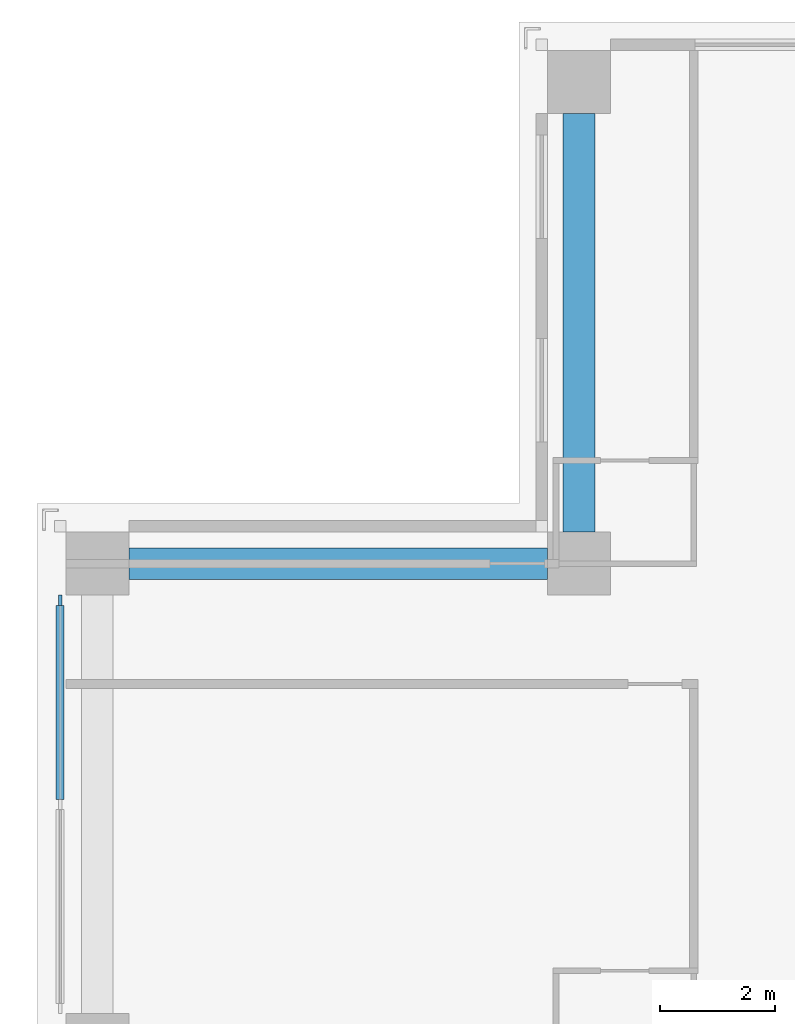
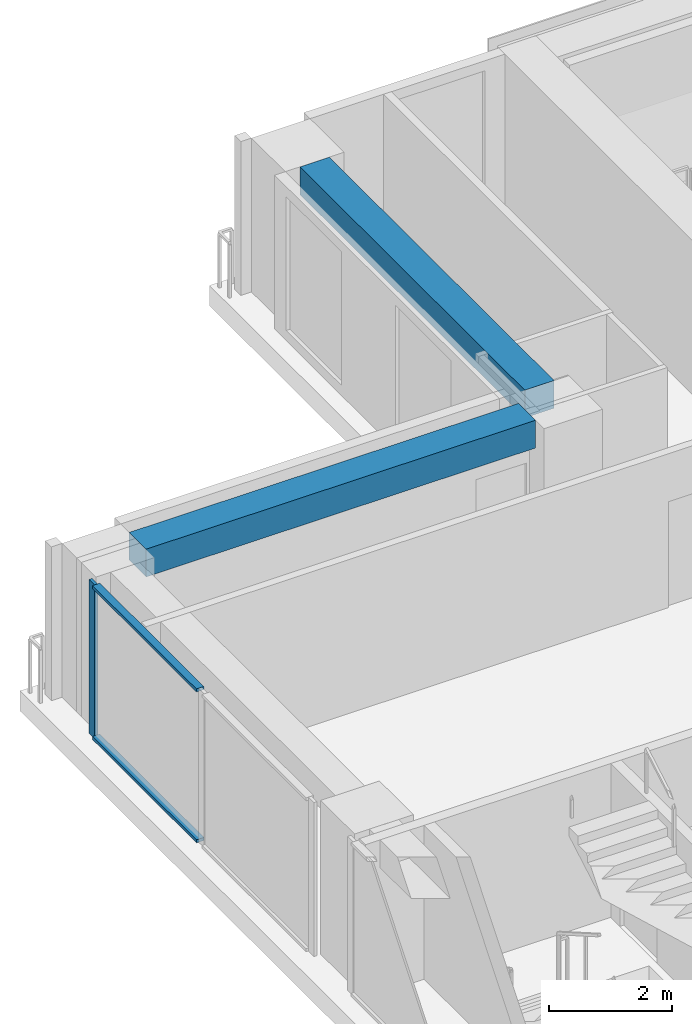
# One storey, part 6 of 16: 3 members, 2 beams, 1 element without a shape of its own.
"""IFC4 building model written with IfcOpenShell, lengths in metres."""

import ifcopenshell
import ifcopenshell.guid

model = None  # the IFC model being written
_history = None  # IfcOwnerHistory: only IFC2X3 demands one
_inside = {}  # id of a spatial element -> (the spatial element, [elements in it])
_under = {}  # id of a project, library or spatial element -> (it, [spatial elements below it])
_declared = {}  # id of a project -> (the project, [libraries it declares])
_typed = {}  # id of a type object -> (the type object, [elements of that type])
_made_of = {}  # id of a material, layer set ... -> (it, [elements and type objects made of it])


def new_model(schema):
    """Start an empty IFC model of exactly this schema.

    Asked for "IFC4X3", IfcOpenShell would pick the latest addendum, in which some entities
    have other attributes; the version numbers below select the first issue.
    IFC2X3 requires an IfcOwnerHistory on every rooted entity: one is made here for all.
    """
    global model, _history
    if schema == "IFC4X3":
        model = ifcopenshell.file(schema_version=(4, 3, 0, 0))
    else:
        model = ifcopenshell.file(schema=schema)
    _inside.clear()
    _under.clear()
    _declared.clear()
    _typed.clear()
    _made_of.clear()
    _history = None
    if model.schema == "IFC2X3":
        org = make("IfcOrganization", Name="unknown")
        user = make(
            "IfcPersonAndOrganization",
            ThePerson=make("IfcPerson", FamilyName="unknown"),
            TheOrganization=org,
        )
        app = make(
            "IfcApplication",
            ApplicationDeveloper=org,
            Version="unknown",
            ApplicationFullName="unknown",
            ApplicationIdentifier="unknown",
        )
        _history = make(
            "IfcOwnerHistory",
            OwningUser=user,
            OwningApplication=app,
            ChangeAction="ADDED",
            CreationDate=0,
        )
    return model


def make(cls, **values):
    """One entity of the class cls with the attributes given. An attribute that is None is left unset."""
    return model.create_entity(
        cls, **{name: value for name, value in values.items() if value is not None}
    )


def rooted(cls, **values):
    """An entity with a GlobalId (a new one), such as an element, a storey or a relation."""
    return make(cls, GlobalId=ifcopenshell.guid.new(), OwnerHistory=_history, **values)


def si_unit(unit_type, name, prefix=None):
    """IfcSIUnit, for example si_unit("LENGTHUNIT", "METRE", prefix="MILLI")."""
    return make("IfcSIUnit", UnitType=unit_type, Prefix=prefix, Name=name)


def assignment(units):
    """IfcUnitAssignment: the units of a project."""
    return None if units is None else make("IfcUnitAssignment", Units=units)


def point(xyz):
    """IfcCartesianPoint."""
    return None if xyz is None else make("IfcCartesianPoint", Coordinates=xyz)


def direction(xyz):
    """IfcDirection."""
    return None if xyz is None else make("IfcDirection", DirectionRatios=xyz)


def frame(location, z_axis=None, x_axis=None):
    """IfcAxis2Placement3D, a coordinate frame: its origin and axes. An axis left out is left unset."""
    return make(
        "IfcAxis2Placement3D",
        Location=point(location),
        Axis=direction(z_axis),
        RefDirection=direction(x_axis),
    )


def frame_2d(location, x_axis=None):
    """IfcAxis2Placement2D, a coordinate frame in the plane: its origin and x axis."""
    return make(
        "IfcAxis2Placement2D", Location=point(location), RefDirection=direction(x_axis)
    )


def origin():
    """The frame at (0, 0, 0) with its axes left unset."""
    return frame((0.0, 0.0, 0.0))


def origin_2d():
    """The frame at (0, 0) in the plane with its x axis left unset."""
    return frame_2d((0.0, 0.0))


def place(relative_to, where):
    """IfcLocalPlacement: puts the frame where relative to a parent placement (None: the world)."""
    return make(
        "IfcLocalPlacement", PlacementRelTo=relative_to, RelativePlacement=where
    )


def context(
    kind, dimensions, precision=None, world=None, true_north=None, identifier=None
):
    """IfcGeometricRepresentationContext, for example the 3D "Model" context."""
    return make(
        "IfcGeometricRepresentationContext",
        ContextIdentifier=identifier,
        ContextType=kind,
        CoordinateSpaceDimension=dimensions,
        Precision=precision,
        WorldCoordinateSystem=world,
        TrueNorth=true_north,
    )


def subcontext(parent, identifier, kind, view, scale=None):
    """IfcGeometricRepresentationSubContext, for example "Body" below "Model"."""
    return make(
        "IfcGeometricRepresentationSubContext",
        ContextIdentifier=identifier,
        ContextType=kind,
        ParentContext=parent,
        TargetScale=scale,
        TargetView=view,
    )


def project(units=None, contexts=None):
    """IfcProject with its units and contexts."""
    return rooted(
        "IfcProject",
        Name="project",
        RepresentationContexts=contexts,
        UnitsInContext=assignment(units),
    )


def spatial(cls, under=None, at=None, **own):
    """A site, building, storey or space (cls), placed at a placement, below another one or the project."""
    s = rooted(cls, ObjectPlacement=at, **own)
    if under is not None:
        _under.setdefault(under.id(), (under, []))[1].append(s)
    return s


def profile(cls, at=None, kind="AREA", **sizes):
    """A parametric profile (cls). Its sizes go by their IFC names, for example OverallWidth=200.0."""
    return make(cls, ProfileType=kind, Position=at, **sizes)


def rectangle(**sizes):
    """IfcRectangleProfileDef."""
    return profile("IfcRectangleProfileDef", **sizes)


def extrude(swept, where, along, depth):
    """IfcExtrudedAreaSolid: the profile swept, set in the frame where, extruded along a direction by depth."""
    return make(
        "IfcExtrudedAreaSolid",
        SweptArea=swept,
        Position=where,
        ExtrudedDirection=direction(along),
        Depth=depth,
    )


def shape(context_of_items, identifier, shape_type, items):
    """IfcShapeRepresentation: the items that make up one representation, for example the "Body"."""
    return make(
        "IfcShapeRepresentation",
        ContextOfItems=context_of_items,
        RepresentationIdentifier=identifier,
        RepresentationType=shape_type,
        Items=items,
    )


def material(Name=None, Category=None):
    """IfcMaterial."""
    return make("IfcMaterial", Name=Name, Category=Category)


def material_profile(
    of_material, cross_section, Name=None, Category=None, Priority=None
):
    """IfcMaterialProfile: a cross section and its material."""
    return make(
        "IfcMaterialProfile",
        Name=Name,
        Material=of_material,
        Profile=cross_section,
        Priority=Priority,
        Category=Category,
    )


def profile_set(profiles, Name=None, composite=None):
    """IfcMaterialProfileSet."""
    return make(
        "IfcMaterialProfileSet",
        Name=Name,
        MaterialProfiles=profiles,
        CompositeProfile=composite,
    )


def made_of(thing, what):
    """Note that an element or type object is made of a material, layer set ...; save() writes the relation."""
    if what is not None:
        _made_of.setdefault(what.id(), (what, []))[1].append(thing)
    return thing


def type_object(cls, material=None, **own):
    """A type object (cls), such as IfcWallType, which elements share."""
    return made_of(rooted(cls, **own), material)


def element(
    cls,
    number,
    at=None,
    inside=None,
    cuts=None,
    type_object=None,
    material=None,
    context=None,
    identifier="Body",
    shape_type=None,
    held_by="IfcProductDefinitionShape",
    body=None,
    shapes=None,
    **own,
):
    """One element of the class cls, such as IfcWall. Its Tag is "e" and its number.

    at: its placement. inside: the storey or other place that contains it. cuts: it is an
    opening in that element (IfcRelVoidsElement). A single representation is given by context,
    identifier, shape_type and body (its items); several are given by shapes. held_by: the class
    of the entity that holds the representations. save() writes the other relations.
    """
    e = rooted(cls, Tag="e%d" % number, ObjectPlacement=at, **own)
    if body is not None:
        shapes = [shape(context, identifier, shape_type, body)]
    if shapes is not None:
        e.Representation = make(held_by, Representations=shapes)
    if inside is not None:
        _inside.setdefault(inside.id(), (inside, []))[1].append(e)
    if cuts is not None:
        rooted(
            "IfcRelVoidsElement", RelatingBuildingElement=cuts, RelatedOpeningElement=e
        )
    if type_object is not None:
        _typed.setdefault(type_object.id(), (type_object, []))[1].append(e)
    return made_of(e, material)


def aggregate(whole, parts):
    """IfcRelAggregates: a whole, such as a stair, and the parts it consists of."""
    return rooted("IfcRelAggregates", RelatingObject=whole, RelatedObjects=parts)


def save(model, path):
    """Write the relations noted so far, then the file.

    IfcRelAggregates (storeys below a building ...), IfcRelContainedInSpatialStructure (elements
    in a storey), IfcRelDefinesByType, IfcRelAssociatesMaterial and IfcRelDeclares: one each for
    every whole, place, type object, material and project.
    """
    for whole, parts in _under.values():
        aggregate(whole, parts)
    for where, things in _inside.values():
        rooted(
            "IfcRelContainedInSpatialStructure",
            RelatedElements=things,
            RelatingStructure=where,
        )
    for kind, things in _typed.values():
        rooted("IfcRelDefinesByType", RelatedObjects=things, RelatingType=kind)
    for what, things in _made_of.values():
        rooted("IfcRelAssociatesMaterial", RelatedObjects=things, RelatingMaterial=what)
    for by, libraries in _declared.values():
        rooted("IfcRelDeclares", RelatingContext=by, RelatedDefinitions=libraries)
    model.write(path)


model = new_model("IFC4")

# Units and contexts
model_context = context("Model", 3, precision=1e-05, world=origin(), true_north=direction((0.0, 1.0)))
body_context = subcontext(model_context, "Body", "Model", "MODEL_VIEW")
ifc_project = project(units=[si_unit("LENGTHUNIT", "METRE"), si_unit("AREAUNIT", "SQUARE_METRE"), si_unit("VOLUMEUNIT", "CUBIC_METRE"), si_unit("PLANEANGLEUNIT", "RADIAN"), si_unit("MASSUNIT", "GRAM", prefix="KILO")], contexts=[model_context])

# Site, building, storey
site_placement = place(None, origin())
site = spatial("IfcSite", under=ifc_project, at=site_placement, CompositionType="ELEMENT")
building_placement = place(site_placement, origin())
building = spatial("IfcBuilding", under=site, at=building_placement, Name="Vermilion Ogive Tower", CompositionType="ELEMENT")
storey_placement = place(building_placement, frame((0.0, 0.0, 140.0)))
storey = spatial("IfcBuildingStorey", under=building, at=storey_placement, Name="L35", CompositionType="ELEMENT", Elevation=140.0)

# Curtain wall, members
ifc_material_1 = material(Name="Low-iron laminated glazing in aluminium frame", Category="aluminium")
curtain_wall_type = type_object("IfcCurtainWallType", Name="Curtain wall CW7", PredefinedType="NOTDEFINED", material=ifc_material_1)
curtain_wall_placement = place(storey_placement, origin())
curtain_wall = element("IfcCurtainWall", 1, at=curtain_wall_placement, inside=storey, type_object=curtain_wall_type, Name="Glazed skin W1", PredefinedType="NOTDEFINED")
ifc_material_2 = material(Name="Aluminium mullion", Category="aluminium")
ifc_material_profile_1 = material_profile(ifc_material_2, rectangle(XDim=0.06005859375, YDim=0.179931640625, at=origin_2d()), Name="AL 60x180")
ifc_profile_set_1 = profile_set([ifc_material_profile_1], Name="Aluminium mullion")
member_type_1 = type_object("IfcMemberType", Name="CW7 mullion 60x180", PredefinedType="MULLION", material=ifc_profile_set_1)
member_1_placement = place(storey_placement, frame((-21.64990234375, 11.9599609375, 0.0), z_axis=(0.0, 0.0, 1.0), x_axis=(1.0, 0.0, 0.0)))
member_1 = element("IfcMember", 2, at=member_1_placement, type_object=member_type_1, Name="CW7-W1 mullion 1", PredefinedType="MULLION", context=body_context, shape_type="SweptSolid", body=[
    extrude(rectangle(XDim=0.06005859375, YDim=0.179931640625, at=origin_2d()), origin(), (0.0, 0.0, 1.0), 3.050048828125),
])
ifc_material_3 = material(Name="Aluminium transom", Category="aluminium")
ifc_material_profile_2 = material_profile(ifc_material_3, rectangle(XDim=0.139892578125, YDim=0.06005859375, at=origin_2d()), Name="AL 60x140")
ifc_profile_set_2 = profile_set([ifc_material_profile_2], Name="Aluminium transom")
member_type_2 = type_object("IfcMemberType", Name="CW7 transom 60x140", PredefinedType="USERDEFINED", material=ifc_profile_set_2)
member_2_placement = place(storey_placement, frame((-21.64990234375, 11.8701171875, 0.030029296875), z_axis=(0.0, -1.0, 0.0), x_axis=(1.0, 0.0, 0.0)))
member_2 = element("IfcMember", 3, at=member_2_placement, type_object=member_type_2, Name="CW7-W1 transom 1.1", ObjectType="TRANSOM", PredefinedType="USERDEFINED", context=body_context, shape_type="SweptSolid", body=[
    extrude(rectangle(XDim=0.139892578125, YDim=0.06005859375, at=origin_2d()), origin(), (0.0, 0.0, 1.0), 3.380126953125),
])
member_3_placement = place(storey_placement, frame((-21.64990234375, 11.8701171875, 3.02001953125), z_axis=(0.0, -1.0, 0.0), x_axis=(1.0, 0.0, 0.0)))
member_3 = element("IfcMember", 4, at=member_3_placement, type_object=member_type_2, Name="CW7-W1 transom 1.2", ObjectType="TRANSOM", PredefinedType="USERDEFINED", context=body_context, shape_type="SweptSolid", body=[
    extrude(rectangle(XDim=0.139892578125, YDim=0.06005859375, at=origin_2d()), origin(), (0.0, 0.0, 1.0), 3.380126953125),
])
aggregate(curtain_wall, [member_1, member_2, member_3])

# Beams
ifc_material_4 = material(Name="Concrete B45", Category="concrete")
ifc_material_profile_3 = material_profile(ifc_material_4, rectangle(XDim=0.550048828125, YDim=0.550048828125, at=origin_2d()), Name="550 x 550")
ifc_profile_set_3 = profile_set([ifc_material_profile_3], Name="Concrete B45")
beam_type = type_object("IfcBeamType", Name="Edge beam 550 x 550 B45", PredefinedType="BEAM", material=ifc_profile_set_3)
for number, where, z_axis, x_axis, name in (
    (5, (-12.60009765625, 20.449951171875, 2.77490234375), (0.0, -1.0, 0.0), (1.0, 0.0, 0.0), "L35-EB-11"),
    (6, (-13.14990234375, 12.60009765625, 2.77490234375), (-1.0, 0.0, 0.0), (0.0, -1.0, 0.0), "L35-EB-12"),
):
    element("IfcBeam", number, at=place(storey_placement, frame(where, z_axis=z_axis, x_axis=x_axis)), inside=storey, type_object=beam_type, Name=name, PredefinedType="BEAM", context=body_context, shape_type="SweptSolid", body=[
        extrude(rectangle(XDim=0.550048828125, YDim=0.550048828125, at=origin_2d()), origin(), (0.0, 0.0, 1.0), 7.300048828125),
    ])

save(model, "model.ifc")
